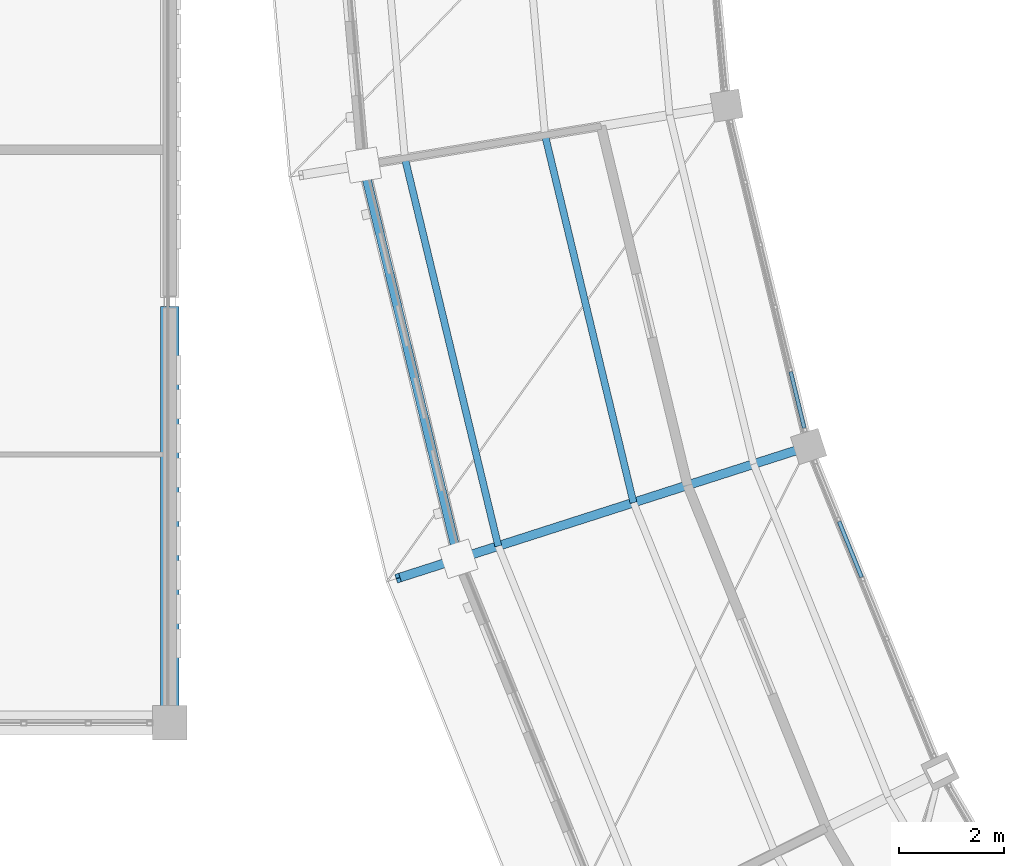
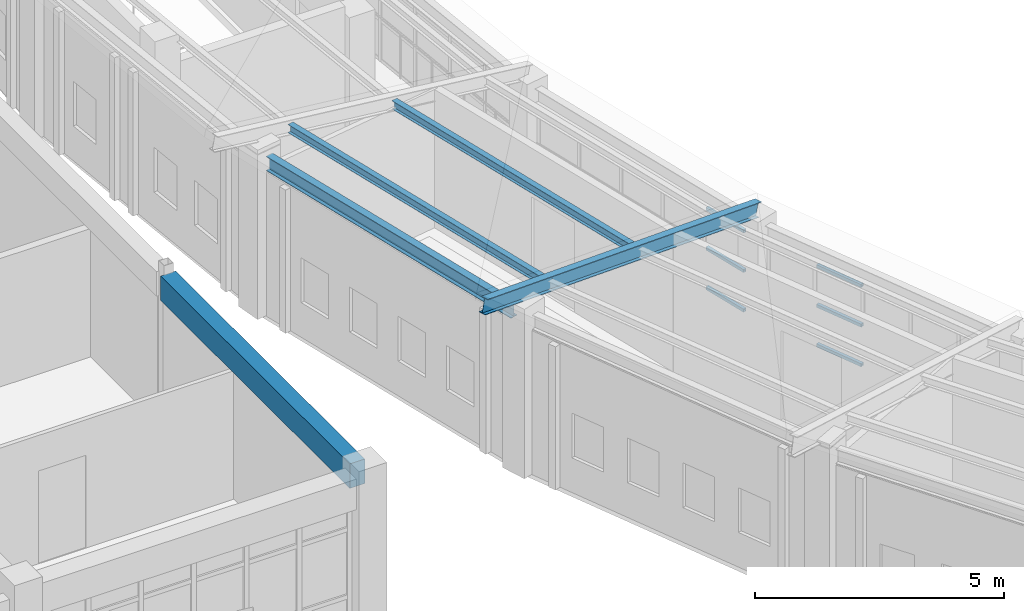
# One storey, part 25 of 149: 9 members, 2 beams, 2 elements without a shape of their own.
"""IFC4 building model written with IfcOpenShell, lengths in metres."""

from ifc_helpers import new_model, si_unit, direction, frame, origin, origin_2d, place, context, subcontext, project, spatial, rectangle, hollow_rectangle, i_section, extrude, material, material_profile, profile_set, type_object, element, aggregate, save


model = new_model("IFC4")

# Units and contexts
model_context = context("Model", 3, precision=1e-05, world=origin(), true_north=direction((0.0, 1.0)))
body_context = subcontext(model_context, "Body", "Model", "MODEL_VIEW")
ifc_project = project(units=[si_unit("LENGTHUNIT", "METRE"), si_unit("AREAUNIT", "SQUARE_METRE"), si_unit("VOLUMEUNIT", "CUBIC_METRE"), si_unit("PLANEANGLEUNIT", "RADIAN"), si_unit("MASSUNIT", "GRAM", prefix="KILO")], contexts=[model_context])

# Site, building, storey
site_placement = place(None, origin())
site = spatial("IfcSite", under=ifc_project, at=site_placement, CompositionType="ELEMENT")
building_placement = place(site_placement, origin())
building = spatial("IfcBuilding", under=site, at=building_placement, Name="Celadon Cloister-Ring School", CompositionType="ELEMENT")
storey_placement = place(building_placement, frame((0.0, 0.0, 12.5)))
storey = spatial("IfcBuildingStorey", under=building, at=storey_placement, Name="L03", CompositionType="ELEMENT", Elevation=12.5)

# Beam
ifc_material_1 = material(Name="Concrete C35/45", Category="concrete")
ifc_material_profile_1 = material_profile(ifc_material_1, rectangle(XDim=0.35009765625, YDim=0.60009765625, at=origin_2d()), Name="RC350X600")
ifc_profile_set_1 = profile_set([ifc_material_profile_1], Name="Concrete C35/45")
beam_type_1 = type_object("IfcBeamType", Name="BT-02", PredefinedType="BEAM", material=ifc_profile_set_1)
beam_1_placement = place(storey_placement, frame((32.0, 40.300048828125, 3.4599609375), z_axis=(0.0, 1.0, 0.0), x_axis=(-1.0, 0.0, 0.0)))
element("IfcBeam", 1, at=beam_1_placement, inside=storey, type_object=beam_type_1, Name="Beam 1634", PredefinedType="BEAM", context=body_context, shape_type="SweptSolid", body=[
    extrude(rectangle(XDim=0.35009765625, YDim=0.60009765625, at=origin_2d()), origin(), (0.0, 0.0, 1.0), 7.614990234375),
])

# Curtain wall, members
ifc_material_2 = material(Name="Aluminium EN AW-6063 T6", Category="aluminium")
curtain_wall_type = type_object("IfcCurtainWallType", Name="CW-02", PredefinedType="USERDEFINED", material=ifc_material_2)
curtain_wall_1_placement = place(storey_placement, origin())
curtain_wall_1 = element("IfcCurtainWall", 2, at=curtain_wall_1_placement, inside=storey, type_object=curtain_wall_type, Name="Curtain Wall 0052", ObjectType="CURTAIN WALL", PredefinedType="USERDEFINED")
ifc_material_3 = material(Name="Aluminium EN AW-6063 T6", Category="aluminium")
ifc_material_profile_2 = material_profile(ifc_material_3, hollow_rectangle(XDim=0.074951171875, YDim=0.074951171875, WallThickness=0.00390625, at=origin_2d()), Name="RHS75X75X4")
ifc_profile_set_2 = profile_set([ifc_material_profile_2], Name="Aluminium EN AW-6063 T6")
member_type_1 = type_object("IfcMemberType", Name="CTM-03", PredefinedType="USERDEFINED", material=ifc_profile_set_2)
member_1_placement = place(storey_placement, frame((43.808349609375, 46.676025390625, 0.03759765625), z_axis=(0.233976270921, -0.972242307579, 0.0), x_axis=(0.972242307579, 0.233976270921, 0.0)))
member_1 = element("IfcMember", 3, at=member_1_placement, type_object=member_type_1, Name="CW-02 transom 5.1", ObjectType="TRANSOM", PredefinedType="USERDEFINED", context=body_context, shape_type="SweptSolid", body=[
    extrude(hollow_rectangle(XDim=0.074951171875, YDim=0.074951171875, WallThickness=0.00390625, at=origin_2d()), origin(), (0.0, 0.0, 1.0), 1.101806640625),
])
member_2_placement = place(storey_placement, frame((43.808349609375, 46.676025390625, 1.010009765625), z_axis=(0.233976270921, -0.972242307579, 0.0), x_axis=(0.972242307579, 0.233976270921, 0.0)))
member_2 = element("IfcMember", 4, at=member_2_placement, type_object=member_type_1, Name="CW-02 transom 5.2", ObjectType="TRANSOM", PredefinedType="USERDEFINED", context=body_context, shape_type="SweptSolid", body=[
    extrude(hollow_rectangle(XDim=0.074951171875, YDim=0.074951171875, WallThickness=0.00390625, at=origin_2d()), origin(), (0.0, 0.0, 1.0), 1.101806640625),
])
member_3_placement = place(storey_placement, frame((43.808349609375, 46.676025390625, 1.982421875), z_axis=(0.233976270921, -0.972242307579, 0.0), x_axis=(0.972242307579, 0.233976270921, 0.0)))
member_3 = element("IfcMember", 5, at=member_3_placement, type_object=member_type_1, Name="CW-02 transom 5.3", ObjectType="TRANSOM", PredefinedType="USERDEFINED", context=body_context, shape_type="SweptSolid", body=[
    extrude(hollow_rectangle(XDim=0.074951171875, YDim=0.074951171875, WallThickness=0.00390625, at=origin_2d()), origin(), (0.0, 0.0, 1.0), 1.101806640625),
])
aggregate(curtain_wall_1, [member_1, member_2, member_3])

curtain_wall_2_placement = place(storey_placement, origin())
curtain_wall_2 = element("IfcCurtainWall", 6, at=curtain_wall_2_placement, inside=storey, type_object=curtain_wall_type, Name="Curtain Wall 0053", ObjectType="CURTAIN WALL", PredefinedType="USERDEFINED")
member_4_placement = place(storey_placement, frame((44.728271484375, 43.828125, 0.03759765625), z_axis=(0.375000300919, -0.927024689159, 0.0), x_axis=(0.927024689159, 0.375000300919, 0.0)))
member_4 = element("IfcMember", 7, at=member_4_placement, type_object=member_type_1, Name="CW-02 transom 2.1", ObjectType="TRANSOM", PredefinedType="USERDEFINED", context=body_context, shape_type="SweptSolid", body=[
    extrude(hollow_rectangle(XDim=0.074951171875, YDim=0.074951171875, WallThickness=0.00390625, at=origin_2d()), origin(), (0.0, 0.0, 1.0), 1.141845703125),
])
member_5_placement = place(storey_placement, frame((44.728271484375, 43.828125, 1.010009765625), z_axis=(0.375000300919, -0.927024689159, 0.0), x_axis=(0.927024689159, 0.375000300919, 0.0)))
member_5 = element("IfcMember", 8, at=member_5_placement, type_object=member_type_1, Name="CW-02 transom 2.2", ObjectType="TRANSOM", PredefinedType="USERDEFINED", context=body_context, shape_type="SweptSolid", body=[
    extrude(hollow_rectangle(XDim=0.074951171875, YDim=0.074951171875, WallThickness=0.00390625, at=origin_2d()), origin(), (0.0, 0.0, 1.0), 1.141845703125),
])
member_6_placement = place(storey_placement, frame((44.728271484375, 43.828125, 1.982421875), z_axis=(0.375000300919, -0.927024689159, 0.0), x_axis=(0.927024689159, 0.375000300919, 0.0)))
member_6 = element("IfcMember", 9, at=member_6_placement, type_object=member_type_1, Name="CW-02 transom 2.3", ObjectType="TRANSOM", PredefinedType="USERDEFINED", context=body_context, shape_type="SweptSolid", body=[
    extrude(hollow_rectangle(XDim=0.074951171875, YDim=0.074951171875, WallThickness=0.00390625, at=origin_2d()), origin(), (0.0, 0.0, 1.0), 1.141845703125),
])
aggregate(curtain_wall_2, [member_4, member_5, member_6])

# Members
ifc_material_4 = material(Name="Structural steel S355JR", Category="steel")
ifc_material_profile_3 = material_profile(ifc_material_4, i_section(OverallWidth=0.133056640625, OverallDepth=0.20703125, WebThickness=0.005859375, FlangeThickness=0.00830078125, at=origin_2d()), Name="W200X27")
ifc_profile_set_3 = profile_set([ifc_material_profile_3], Name="Structural steel S355JR")
member_type_2 = type_object("IfcMemberType", Name="MP-04", PredefinedType="PURLIN", material=ifc_profile_set_3)
member_7_placement = place(storey_placement, frame((39.135986328125, 51.172119140625, 3.4599609375), z_axis=(0.234123428499, -0.972206881393, 0.0), x_axis=(0.972206881393, 0.234123428499, 0.0)))
element("IfcMember", 10, at=member_7_placement, inside=storey, type_object=member_type_2, Name="Structural Member 0118", PredefinedType="PURLIN", context=body_context, shape_type="SweptSolid", body=[
    extrude(i_section(OverallWidth=0.133056640625, OverallDepth=0.20703125, WebThickness=0.005859375, FlangeThickness=0.00830078125, at=origin_2d()), origin(), (0.0, 0.0, 1.0), 7.184814453125),
])
member_8_placement = place(storey_placement, frame((36.470947265625, 50.736083984375, 4.073974609375), z_axis=(0.234165393179, -0.972196774649, 0.0), x_axis=(0.972196774649, 0.234165393179, 0.0)))
element("IfcMember", 11, at=member_8_placement, inside=storey, type_object=member_type_2, Name="Structural Member 0119", PredefinedType="PURLIN", context=body_context, shape_type="SweptSolid", body=[
    extrude(i_section(OverallWidth=0.133056640625, OverallDepth=0.20703125, WebThickness=0.005859375, FlangeThickness=0.00830078125, at=origin_2d()), origin(), (0.0, 0.0, 1.0), 7.5849609375),
])
ifc_material_5 = material(Name="Structural steel S355JR", Category="steel")
ifc_material_profile_4 = material_profile(ifc_material_5, i_section(OverallWidth=0.1708984375, OverallDepth=0.35498046875, WebThickness=0.007080078125, FlangeThickness=0.01171875, at=origin_2d()), Name="W360X51")
ifc_profile_set_4 = profile_set([ifc_material_profile_4], Name="Structural steel S355JR")
member_type_3 = type_object("IfcMemberType", Name="MR-05", PredefinedType="RAFTER", material=ifc_profile_set_4)
member_9_placement = place(storey_placement, frame((44.14990234375, 45.256103515625, 2.72607421875), z_axis=(-0.928722429722, -0.297977575791, 0.220644539603), x_axis=(0.30550701366, -0.95218982593, 0.0)))
element("IfcMember", 12, at=member_9_placement, inside=storey, type_object=member_type_3, Name="Structural Member 0020", PredefinedType="RAFTER", context=body_context, shape_type="SweptSolid", body=[
    extrude(i_section(OverallWidth=0.1708984375, OverallDepth=0.35498046875, WebThickness=0.007080078125, FlangeThickness=0.01171875, at=origin_2d()), origin(), (0.0, 0.0, 1.0), 8.406982421875),
])

# Beam
ifc_material_6 = material(Name="Structural steel S355JR", Category="steel")
ifc_material_profile_5 = material_profile(ifc_material_6, i_section(OverallWidth=0.1708984375, OverallDepth=0.35498046875, WebThickness=0.007080078125, FlangeThickness=0.01171875, at=origin_2d()), Name="W360X51")
ifc_profile_set_5 = profile_set([ifc_material_profile_5], Name="Structural steel S355JR")
beam_type_2 = type_object("IfcBeamType", Name="SP-04", PredefinedType="SPANDREL", material=ifc_profile_set_5)
beam_2_placement = place(storey_placement, frame((35.74609375, 50.340087890625, 3.722900390625), z_axis=(0.234111184794, -0.972209829797, 0.0), x_axis=(0.972209829797, 0.234111184794, 0.0)))
element("IfcBeam", 13, at=beam_2_placement, inside=storey, type_object=beam_type_2, Name="Beam 0540", PredefinedType="SPANDREL", context=body_context, shape_type="SweptSolid", body=[
    extrude(i_section(OverallWidth=0.1708984375, OverallDepth=0.35498046875, WebThickness=0.007080078125, FlangeThickness=0.01171875, at=origin_2d()), origin(), (0.0, 0.0, 1.0), 7.15380859375),
])

save(model, "model.ifc")
